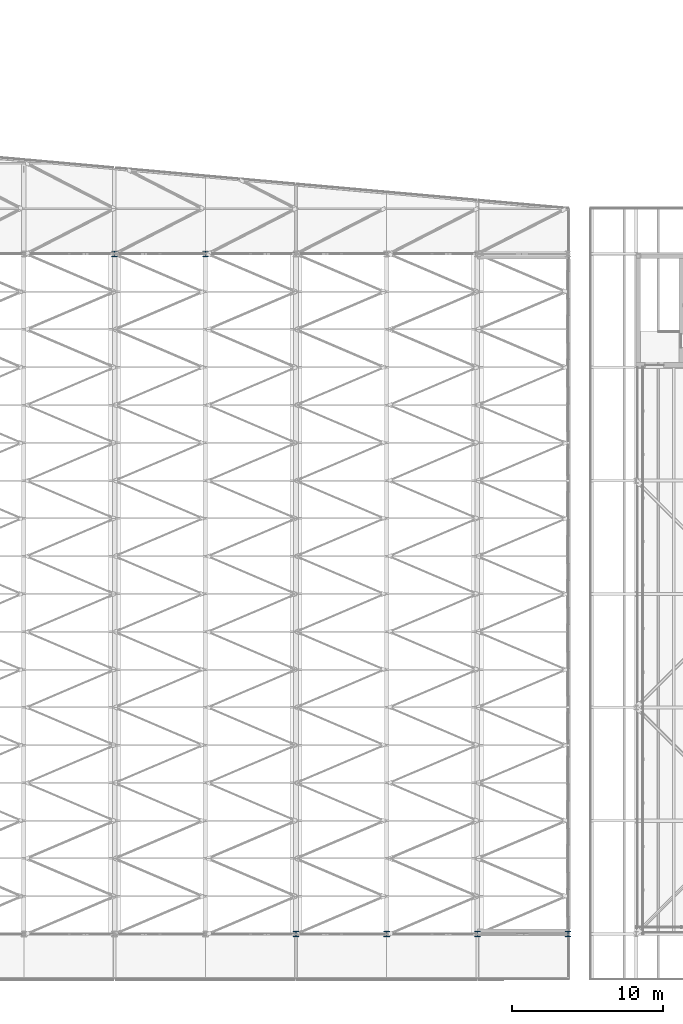
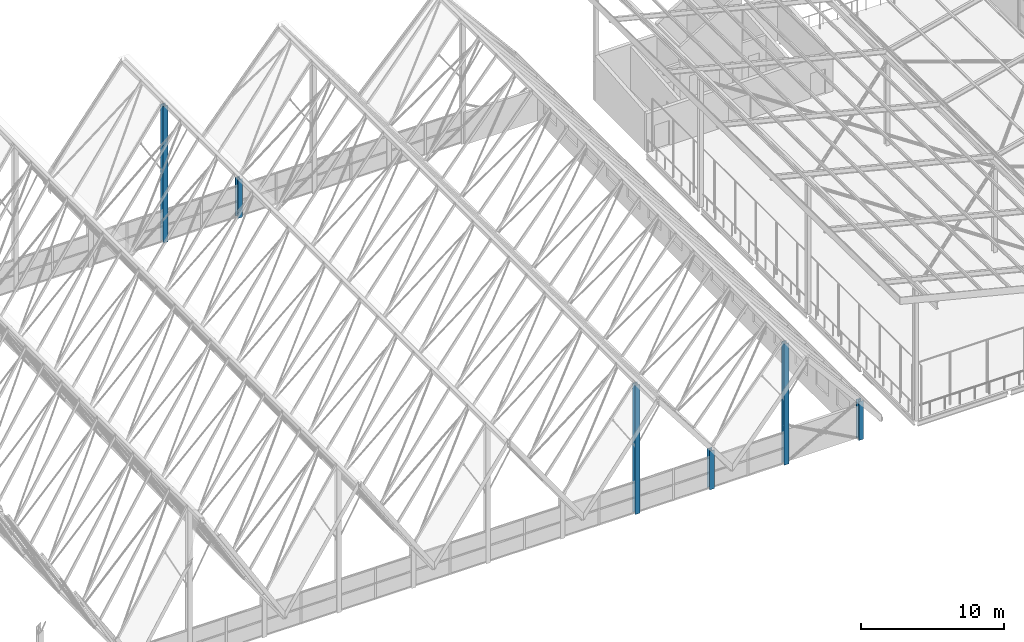
# One storey, part 4 of 483: 6 columns.
"""IFC4 building model written with IfcOpenShell, lengths in metres."""

from ifc_helpers import new_model, si_unit, direction, frame, origin, origin_2d, place, context, subcontext, project, spatial, i_section, extrude, material, material_profile, profile_set, type_object, element, save


model = new_model("IFC4")

# Units and contexts
model_context = context("Model", 3, precision=1e-05, world=origin(), true_north=direction((0.0, 1.0)))
body_context = subcontext(model_context, "Body", "Model", "MODEL_VIEW")
ifc_project = project(units=[si_unit("LENGTHUNIT", "METRE"), si_unit("AREAUNIT", "SQUARE_METRE"), si_unit("VOLUMEUNIT", "CUBIC_METRE"), si_unit("PLANEANGLEUNIT", "RADIAN"), si_unit("MASSUNIT", "GRAM", prefix="KILO")], contexts=[model_context])

# Site, building, storey
site_placement = place(None, origin())
site = spatial("IfcSite", under=ifc_project, at=site_placement, CompositionType="ELEMENT")
building_placement = place(site_placement, origin())
building = spatial("IfcBuilding", under=site, at=building_placement, Name="Parallax Yard Mobility Hub", CompositionType="ELEMENT")
storey_placement = place(building_placement, frame((0.0, 0.0, 13.199951171875)))
storey = spatial("IfcBuildingStorey", under=building, at=storey_placement, Name="L04", CompositionType="ELEMENT", Elevation=13.199951171875)

# Columns
ifc_material = material(Name="Steel ASTM A992", Category="steel")
ifc_material_profile = material_profile(ifc_material, i_section(OverallWidth=0.373046875, OverallDepth=0.367919921875, WebThickness=0.014892578125, FlangeThickness=0.02392578125, FilletRadius=0.01513671875, at=origin_2d()), Name="W360x179")
ifc_profile_set = profile_set([ifc_material_profile], Name="Steel ASTM A992")
column_type = type_object("IfcColumnType", Name="W360x179 column", PredefinedType="COLUMN", material=ifc_profile_set)
column_1_placement = place(storey_placement, frame((63.0, 52.5, 0.0), z_axis=(0.0, 0.0, 1.0), x_axis=(1.0, 0.0, 0.0)))
element("IfcColumn", 1, at=column_1_placement, inside=storey, type_object=column_type, Name="Ridge column F10 north level L04", PredefinedType="COLUMN", context=body_context, shape_type="SweptSolid", body=[
    extrude(i_section(OverallWidth=0.373046875, OverallDepth=0.367919921875, WebThickness=0.014892578125, FlangeThickness=0.02392578125, FilletRadius=0.01513671875, at=origin_2d()), origin(), (0.0, 0.0, 1.0), 11.633056640625),
])
column_2_placement = place(storey_placement, frame((69.0, 52.5, 0.0), z_axis=(0.0, 0.0, 1.0), x_axis=(1.0, 0.0, 0.0)))
element("IfcColumn", 2, at=column_2_placement, inside=storey, type_object=column_type, Name="Valley column F11 north level L04", PredefinedType="COLUMN", context=body_context, shape_type="SweptSolid", body=[
    extrude(i_section(OverallWidth=0.373046875, OverallDepth=0.367919921875, WebThickness=0.014892578125, FlangeThickness=0.02392578125, FilletRadius=0.01513671875, at=origin_2d()), origin(), (0.0, 0.0, 1.0), 3.300048828125),
])
column_3_placement = place(storey_placement, frame((75.0, 7.5, 0.0), z_axis=(0.0, 0.0, 1.0), x_axis=(1.0, 0.0, 0.0)))
element("IfcColumn", 3, at=column_3_placement, inside=storey, type_object=column_type, Name="Ridge column F12 south level L04", PredefinedType="COLUMN", context=body_context, shape_type="SweptSolid", body=[
    extrude(i_section(OverallWidth=0.373046875, OverallDepth=0.367919921875, WebThickness=0.014892578125, FlangeThickness=0.02392578125, FilletRadius=0.01513671875, at=origin_2d()), origin(), (0.0, 0.0, 1.0), 10.967041015625),
])
column_4_placement = place(storey_placement, frame((81.0, 7.5, 0.0), z_axis=(0.0, 0.0, 1.0), x_axis=(1.0, 0.0, 0.0)))
element("IfcColumn", 4, at=column_4_placement, inside=storey, type_object=column_type, Name="Valley column F13 south level L04", PredefinedType="COLUMN", context=body_context, shape_type="SweptSolid", body=[
    extrude(i_section(OverallWidth=0.373046875, OverallDepth=0.367919921875, WebThickness=0.014892578125, FlangeThickness=0.02392578125, FilletRadius=0.01513671875, at=origin_2d()), origin(), (0.0, 0.0, 1.0), 3.300048828125),
])
column_5_placement = place(storey_placement, frame((87.0, 7.5, 0.0), z_axis=(0.0, 0.0, 1.0), x_axis=(1.0, 0.0, 0.0)))
element("IfcColumn", 5, at=column_5_placement, inside=storey, type_object=column_type, Name="Ridge column F14 south level L04", PredefinedType="COLUMN", context=body_context, shape_type="SweptSolid", body=[
    extrude(i_section(OverallWidth=0.373046875, OverallDepth=0.367919921875, WebThickness=0.014892578125, FlangeThickness=0.02392578125, FilletRadius=0.01513671875, at=origin_2d()), origin(), (0.0, 0.0, 1.0), 10.300048828125),
])
column_6_placement = place(storey_placement, frame((93.0, 7.5, 0.0), z_axis=(0.0, 0.0, 1.0), x_axis=(1.0, 0.0, 0.0)))
element("IfcColumn", 6, at=column_6_placement, inside=storey, type_object=column_type, Name="Valley column F15 south level L04", PredefinedType="COLUMN", context=body_context, shape_type="SweptSolid", body=[
    extrude(i_section(OverallWidth=0.373046875, OverallDepth=0.367919921875, WebThickness=0.014892578125, FlangeThickness=0.02392578125, FilletRadius=0.01513671875, at=origin_2d()), origin(), (0.0, 0.0, 1.0), 3.300048828125),
])

save(model, "model.ifc")
